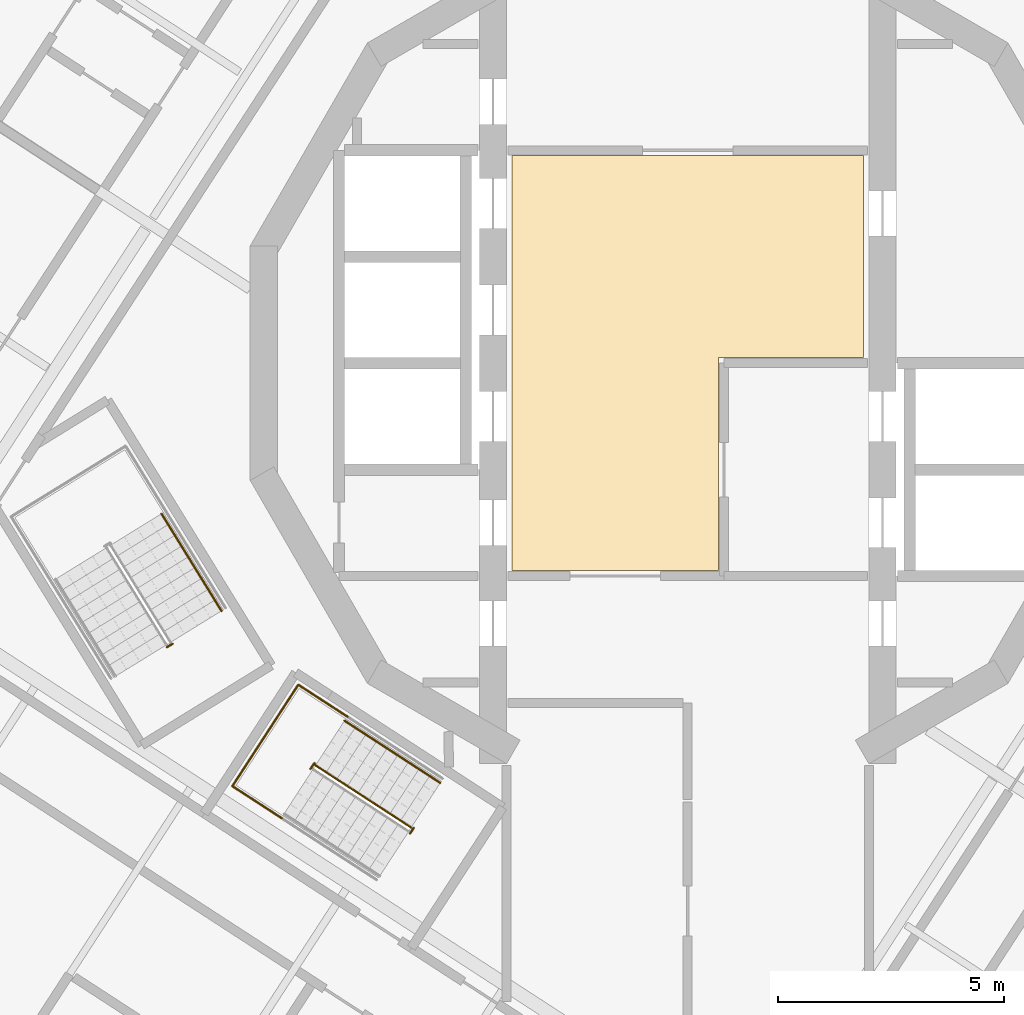
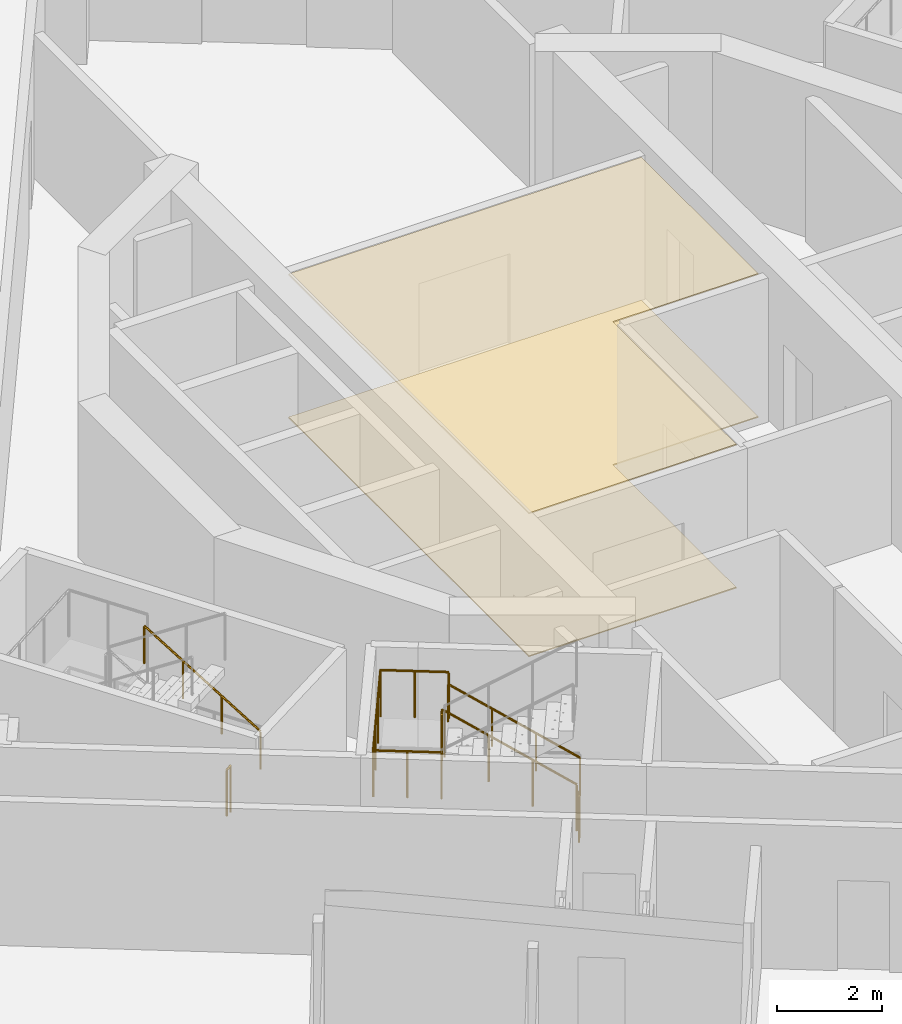
# One storey, part 12 of 15: 6 railings, 2 coverings.
"""IFC4 building model written with IfcOpenShell, lengths in metres."""

from ifc_helpers import new_model, si_unit, direction, frame, origin, origin_2d, place, context, subcontext, project, spatial, polyline, circle, outline, extrude, material, layer, layer_set, type_object, element, save


model = new_model("IFC4")

# Units and contexts
model_context = context("Model", 3, precision=1e-05, world=origin(), true_north=direction((0.0, 1.0)))
body_context = subcontext(model_context, "Body", "Model", "MODEL_VIEW")
ifc_project = project(units=[si_unit("LENGTHUNIT", "METRE"), si_unit("AREAUNIT", "SQUARE_METRE"), si_unit("VOLUMEUNIT", "CUBIC_METRE"), si_unit("PLANEANGLEUNIT", "RADIAN"), si_unit("MASSUNIT", "GRAM", prefix="KILO")], contexts=[model_context])

# Site, building, storey
site_placement = place(None, origin())
site = spatial("IfcSite", under=ifc_project, at=site_placement, CompositionType="ELEMENT")
building_placement = place(site_placement, origin())
building = spatial("IfcBuilding", under=site, at=building_placement, Name="Cantera Rosa Tower", CompositionType="ELEMENT")
storey_placement = place(building_placement, frame((0.0, 0.0, 261.300048828125)))
storey = spatial("IfcBuildingStorey", under=building, at=storey_placement, Name="L58", CompositionType="ELEMENT", Elevation=261.300048828125)

# Railings
ifc_material_1 = material(Name="Steel S355J2 (EN 10025-2)", Category="steel")
railing_type_1 = type_object("IfcRailingType", Name="STAIR GUARD 1100", PredefinedType="GUARDRAIL", material=ifc_material_1)
railing_1_placement = place(storey_placement, frame((-11.375, -6.19482421875, 0.0)))
element("IfcRailing", 1, at=railing_1_placement, inside=storey, type_object=railing_type_1, Name="L58 ST-52 stair guard 3", PredefinedType="GUARDRAIL", context=body_context, shape_type="SweptSolid", body=[
    extrude(circle(Radius=0.02392578125, at=origin_2d()), frame((0.0, 0.0, 1.076171875), z_axis=(-0.851546489876, -0.524279100842, 0.0), x_axis=(0.524279100842, -0.851546489876, 0.0)), (0.0, 0.0, 1.0), 0.14990234375),
    extrude(circle(Radius=0.02099609375, at=origin_2d()), origin(), (0.0, 0.0, 1.0), 1.052001953125),
    extrude(circle(Radius=0.02099609375, at=origin_2d()), frame((-0.127685546875, -0.07861328125, 0.0)), (0.0, 0.0, 1.0), 1.052001953125),
])
railing_2_placement = place(storey_placement, frame((-6.10400390625, -10.25341796875, 0.179931640625)))
element("IfcRailing", 2, at=railing_2_placement, inside=storey, type_object=railing_type_1, Name="L58 ST-53 stair guard 1", PredefinedType="GUARDRAIL", context=body_context, shape_type="SweptSolid", body=[
    extrude(circle(Radius=0.02392578125, at=origin_2d()), frame((0.0, 0.0, 1.076171875), z_axis=(-0.705462015847, 0.458138784, 0.540770005448), x_axis=(-0.544644381691, -0.838667095749, 0.0)), (0.0, 0.0, 1.0), 2.995849609375),
    extrude(circle(Radius=0.02392578125, at=origin_2d()), frame((-2.113525390625, 1.37255859375, 2.6962890625), z_axis=(-0.49005532576, 0.871691331662, 0.0), x_axis=(-0.871691331662, -0.49005532576, 0.0)), (0.0, 0.0, 1.0), 0.056396484375),
    extrude(circle(Radius=0.02392578125, at=origin_2d()), frame((-2.14111328125, 1.421630859375, 2.6962890625), z_axis=(-0.545274379459, -0.838257628123, 0.0), x_axis=(0.838257628123, -0.545274379459, 0.0)), (0.0, 0.0, 1.0), 0.14990234375),
    extrude(circle(Radius=0.02099609375, at=origin_2d()), origin(), (0.0, 0.0, 1.0), 1.052001953125),
    extrude(circle(Radius=0.02099609375, at=origin_2d()), frame((-0.70458984375, 0.45751953125, 0.5400390625)), (0.0, 0.0, 1.0), 1.052001953125),
    extrude(circle(Radius=0.02099609375, at=origin_2d()), frame((-1.408935546875, 0.9150390625, 1.080078125)), (0.0, 0.0, 1.0), 1.052001953125),
    extrude(circle(Radius=0.02099609375, at=origin_2d()), frame((-2.113525390625, 1.37255859375, 1.6201171875)), (0.0, 0.0, 1.0), 1.052001953125),
    extrude(circle(Radius=0.02099609375, at=origin_2d()), frame((-2.14111328125, 1.421630859375, 1.6201171875)), (0.0, 0.0, 1.0), 1.052001953125),
    extrude(circle(Radius=0.02099609375, at=origin_2d()), frame((-2.222900390625, 1.2958984375, 1.6201171875)), (0.0, 0.0, 1.0), 1.052001953125),
])
railing_3_placement = place(storey_placement, frame((-6.0478515625, -10.2587890625, 0.0)))
element("IfcRailing", 3, at=railing_3_placement, inside=storey, type_object=railing_type_1, Name="L58 ST-53 stair guard 3", PredefinedType="GUARDRAIL", context=body_context, shape_type="SweptSolid", body=[
    extrude(circle(Radius=0.02392578125, at=origin_2d()), frame((0.0, 0.0, 1.076171875), z_axis=(-0.545274379459, -0.838257628123, 0.0), x_axis=(0.838257628123, -0.545274379459, 0.0)), (0.0, 0.0, 1.0), 0.14990234375),
    extrude(circle(Radius=0.02099609375, at=origin_2d()), origin(), (0.0, 0.0, 1.0), 1.052001953125),
    extrude(circle(Radius=0.02099609375, at=origin_2d()), frame((-0.081787109375, -0.125732421875, 0.0)), (0.0, 0.0, 1.0), 1.052001953125),
])
railing_4_placement = place(storey_placement, frame((-7.507080078125, -7.808837890625, 1.800048828125)))
element("IfcRailing", 4, at=railing_4_placement, inside=storey, type_object=railing_type_1, Name="L58 ST-53 stair guard 5", PredefinedType="GUARDRAIL", context=body_context, shape_type="SweptSolid", body=[
    extrude(circle(Radius=0.02392578125, at=origin_2d()), frame((0.0, 0.0, 1.076171875), z_axis=(-0.838597818641, 0.544751042744, 0.0), x_axis=(-0.544751042744, -0.838597818641, 0.0)), (0.0, 0.0, 1.0), 1.302001953125),
    extrude(circle(Radius=0.02392578125, at=origin_2d()), frame((-1.091796875, 0.709228515625, 1.076171875), z_axis=(-0.544679779991, -0.838644106442, 0.0), x_axis=(0.838644106442, -0.544679779991, 0.0)), (0.0, 0.0, 1.0), 2.670166015625),
    extrude(circle(Radius=0.02392578125, at=origin_2d()), frame((-2.546142578125, -1.530029296875, 1.076171875), z_axis=(0.838653453326, -0.544665388311, 0.0), x_axis=(0.544665388311, 0.838653453326, 0.0)), (0.0, 0.0, 1.0), 1.30224609375),
    extrude(circle(Radius=0.02099609375, at=origin_2d()), origin(), (0.0, 0.0, 1.0), 1.052001953125),
    extrude(circle(Radius=0.02099609375, at=origin_2d()), frame((-0.5458984375, 0.3544921875, 0.0)), (0.0, 0.0, 1.0), 1.052001953125),
    extrude(circle(Radius=0.02099609375, at=origin_2d()), frame((-1.091796875, 0.709228515625, 0.0)), (0.0, 0.0, 1.0), 1.052001953125),
    extrude(circle(Radius=0.02099609375, at=origin_2d()), frame((-1.57666015625, -0.037109375, 0.0)), (0.0, 0.0, 1.0), 1.052001953125),
    extrude(circle(Radius=0.02099609375, at=origin_2d()), frame((-2.061279296875, -0.78369140625, 0.0)), (0.0, 0.0, 1.0), 1.052001953125),
    extrude(circle(Radius=0.02099609375, at=origin_2d()), frame((-2.546142578125, -1.530029296875, 0.0)), (0.0, 0.0, 1.0), 1.052001953125),
    extrude(circle(Radius=0.02099609375, at=origin_2d()), frame((-2.0, -1.884765625, 0.0)), (0.0, 0.0, 1.0), 1.052001953125),
    extrude(circle(Radius=0.02099609375, at=origin_2d()), frame((-1.4541015625, -2.2392578125, 0.0)), (0.0, 0.0, 1.0), 1.052001953125),
])
ifc_material_2 = material(Name="Steel S355J2 (EN 10025-2)", Category="steel")
railing_type_2 = type_object("IfcRailingType", Name="STAIR HANDRAIL 900", PredefinedType="HANDRAIL", material=ifc_material_2)
railing_5_placement = place(storey_placement, frame((-10.294677734375, -5.4697265625, 0.179931640625)))
element("IfcRailing", 5, at=railing_5_placement, inside=storey, type_object=railing_type_2, Name="L58 ST-52 stair handrail 1", PredefinedType="HANDRAIL", context=body_context, shape_type="SweptSolid", body=[
    extrude(circle(Radius=0.02392578125, at=origin_2d()), frame((0.0, 0.0, 0.8759765625), z_axis=(-0.441609067481, 0.715913574058, 0.540785711718), x_axis=(-0.851102330005, -0.524999832248, 0.0)), (0.0, 0.0, 1.0), 2.995849609375),
    extrude(circle(Radius=0.02099609375, at=origin_2d()), origin(), (0.0, 0.0, 1.0), 0.851806640625),
    extrude(circle(Radius=0.02099609375, at=origin_2d()), frame((-0.44091796875, 0.71484375, 0.5400390625)), (0.0, 0.0, 1.0), 0.851806640625),
    extrude(circle(Radius=0.02099609375, at=origin_2d()), frame((-0.882080078125, 1.429931640625, 1.080078125)), (0.0, 0.0, 1.0), 0.851806640625),
    extrude(circle(Radius=0.02099609375, at=origin_2d()), frame((-1.322998046875, 2.144775390625, 1.6201171875)), (0.0, 0.0, 1.0), 0.851806640625),
])
railing_6_placement = place(storey_placement, frame((-5.463623046875, -9.26708984375, 0.179931640625)))
element("IfcRailing", 6, at=railing_6_placement, inside=storey, type_object=railing_type_2, Name="L58 ST-53 stair handrail 1", PredefinedType="HANDRAIL", context=body_context, shape_type="SweptSolid", body=[
    extrude(circle(Radius=0.02392578125, at=origin_2d()), frame((0.0, 0.0, 0.8759765625), z_axis=(-0.705421077808, 0.458165122394, 0.540801094309), x_axis=(-0.544688635705, -0.838638354795, 0.0)), (0.0, 0.0, 1.0), 2.995849609375),
    extrude(circle(Radius=0.02099609375, at=origin_2d()), origin(), (0.0, 0.0, 1.0), 0.851806640625),
    extrude(circle(Radius=0.02099609375, at=origin_2d()), frame((-0.704345703125, 0.45751953125, 0.5400390625)), (0.0, 0.0, 1.0), 0.851806640625),
    extrude(circle(Radius=0.02099609375, at=origin_2d()), frame((-1.408935546875, 0.9150390625, 1.080078125)), (0.0, 0.0, 1.0), 0.851806640625),
    extrude(circle(Radius=0.02099609375, at=origin_2d()), frame((-2.11328125, 1.37255859375, 1.6201171875)), (0.0, 0.0, 1.0), 0.851806640625),
])

# Coverings
ifc_material_3 = material(Name="Limestone paving", Category="masonry")
ifc_layer_1 = layer(ifc_material_3, 0.02490234375)
ifc_layer_set_1 = layer_set([ifc_layer_1], Name="STONE FLOOR FINISH 25")
covering_type_1 = type_object("IfcCoveringType", Name="STONE FLOOR FINISH 25", PredefinedType="FLOORING", material=ifc_layer_set_1)
covering_1_placement = place(storey_placement, origin())
element("IfcCovering", 7, at=covering_1_placement, inside=storey, type_object=covering_type_1, Name="STONE FLOOR FINISH L58", PredefinedType="FLOORING", context=body_context, shape_type="SweptSolid", body=[
    extrude(outline(polyline([(3.8798828125, 4.580078125), (3.8798828125, 0.1201171875), (0.679931640625, 0.1201171875), (0.679931640625, -4.580078125), (-3.8798828125, -4.580078125), (-3.8798828125, 4.580078125), (3.8798828125, 4.580078125)])), origin(), (0.0, 0.0, 1.0), 0.02490234375),
])
ifc_material_4 = material(Name="Gypsum ceiling tile")
ifc_layer_2 = layer(ifc_material_4, 0.030029296875)
ifc_layer_set_2 = layer_set([ifc_layer_2], Name="SUSPENDED CEILING 30")
covering_type_2 = type_object("IfcCoveringType", Name="SUSPENDED CEILING 30", PredefinedType="CEILING", material=ifc_layer_set_2)
covering_2_placement = place(storey_placement, frame((0.0, 0.0, 3.320068359375)))
element("IfcCovering", 8, at=covering_2_placement, inside=storey, type_object=covering_type_2, Name="SUSPENDED CEILING L58", PredefinedType="CEILING", context=body_context, shape_type="SweptSolid", body=[
    extrude(outline(polyline([(3.8798828125, 4.580078125), (3.8798828125, 0.1201171875), (0.679931640625, 0.1201171875), (0.679931640625, -4.580078125), (-3.8798828125, -4.580078125), (-3.8798828125, 4.580078125), (3.8798828125, 4.580078125)])), origin(), (0.0, 0.0, 1.0), 0.02978515625),
])

save(model, "model.ifc")
